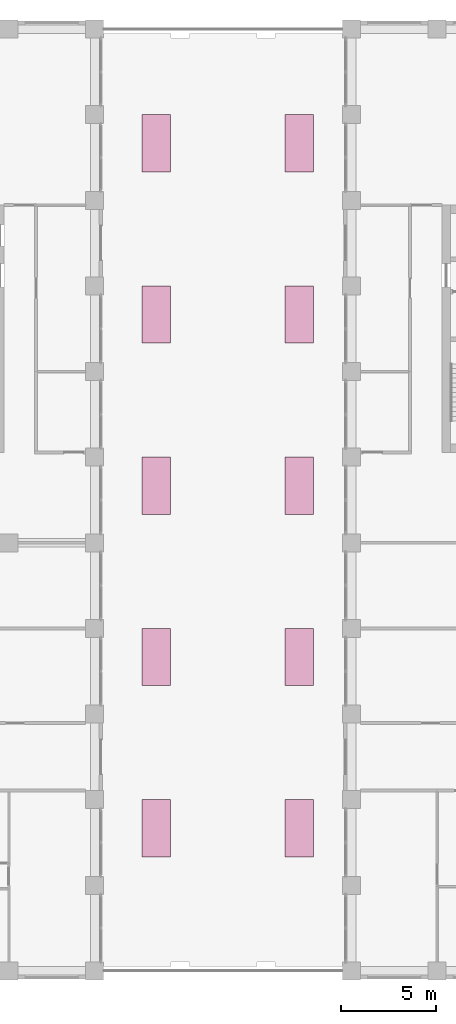
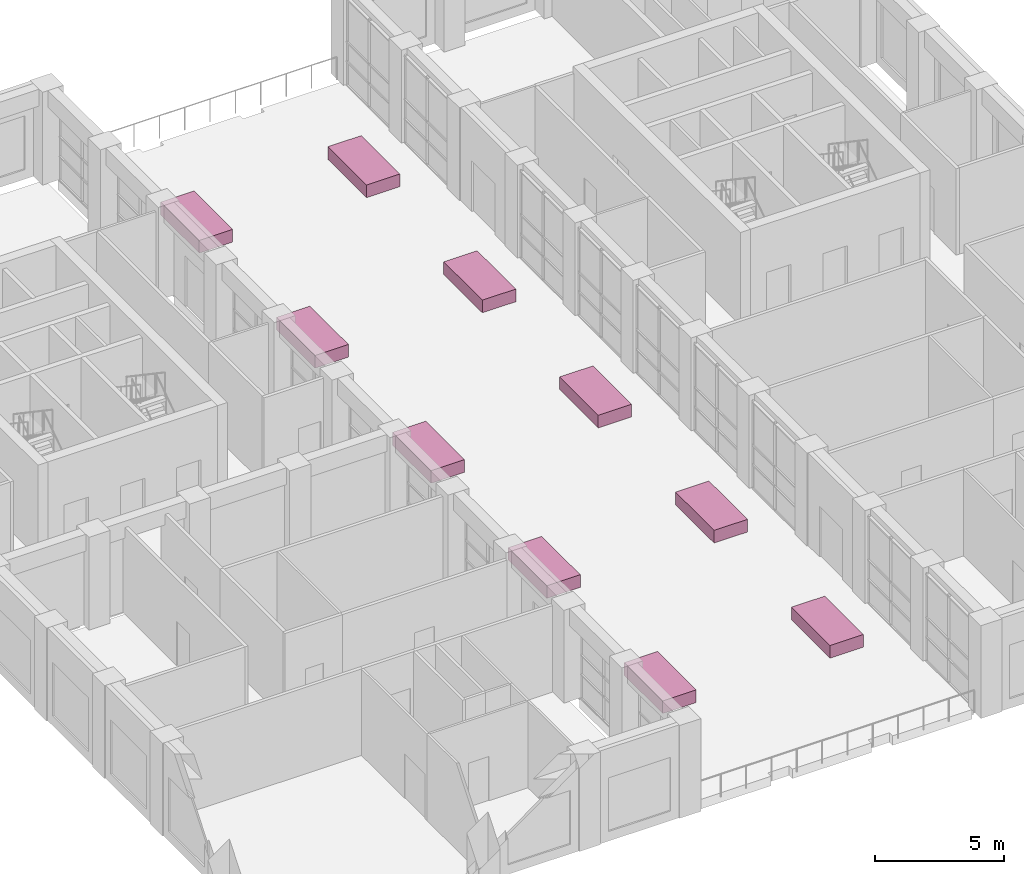
# One storey, part 20 of 20: 10 furniture elements.
"""IFC4 building model written with IfcOpenShell, lengths in metres."""

from ifc_helpers import new_model, si_unit, direction, frame, origin, origin_2d, place, context, subcontext, project, spatial, rectangle, extrude, material, type_object, element, save


model = new_model("IFC4")

# Units and contexts
model_context = context("Model", 3, precision=1e-05, world=origin(), true_north=direction((0.0, 1.0)))
body_context = subcontext(model_context, "Body", "Model", "MODEL_VIEW")
ifc_project = project(units=[si_unit("LENGTHUNIT", "METRE"), si_unit("AREAUNIT", "SQUARE_METRE"), si_unit("VOLUMEUNIT", "CUBIC_METRE"), si_unit("PLANEANGLEUNIT", "RADIAN"), si_unit("MASSUNIT", "GRAM", prefix="KILO")], contexts=[model_context])

# Site, building, storey
site_placement = place(None, origin())
site = spatial("IfcSite", under=ifc_project, at=site_placement, CompositionType="ELEMENT")
building_placement = place(site_placement, origin())
building = spatial("IfcBuilding", under=site, at=building_placement, Name="Girih Gate Residences", CompositionType="ELEMENT")
storey_placement = place(building_placement, frame((0.0, 0.0, 146.199951171875)))
storey = spatial("IfcBuildingStorey", under=building, at=storey_placement, Name="L41", CompositionType="ELEMENT", Elevation=146.199951171875)

# Furniture
ifc_material = material(Name="Precast concrete C40/50", Category="concrete")
furniture_type = type_object("IfcFurnitureType", Name="Terrace planter 1500x3000", AssemblyPlace="NOTDEFINED", PredefinedType="USERDEFINED", material=ifc_material)
for number, where, z_axis, x_axis, name in (
    (1, (21.25, 7.5, 0.0), (0.0, 0.0, 1.0), (1.0, 0.0, 0.0), "Planter Sky garden 1"),
    (2, (28.75, 7.5, 0.0), (0.0, 0.0, 1.0), (1.0, 0.0, 0.0), "Planter Sky garden 2"),
    (3, (21.25, 16.5, 0.0), (0.0, 0.0, 1.0), (1.0, 0.0, 0.0), "Planter Sky garden 3"),
    (4, (28.75, 16.5, 0.0), (0.0, 0.0, 1.0), (1.0, 0.0, 0.0), "Planter Sky garden 4"),
    (5, (21.25, 25.5, 0.0), (0.0, 0.0, 1.0), (1.0, 0.0, 0.0), "Planter Sky garden 5"),
    (6, (28.75, 25.5, 0.0), (0.0, 0.0, 1.0), (1.0, 0.0, 0.0), "Planter Sky garden 6"),
    (7, (21.25, 34.5, 0.0), (0.0, 0.0, 1.0), (1.0, 0.0, 0.0), "Planter Sky garden 7"),
    (8, (28.75, 34.5, 0.0), (0.0, 0.0, 1.0), (1.0, 0.0, 0.0), "Planter Sky garden 8"),
    (9, (21.25, 43.5, 0.0), (0.0, 0.0, 1.0), (1.0, 0.0, 0.0), "Planter Sky garden 9"),
    (10, (28.75, 43.5, 0.0), (0.0, 0.0, 1.0), (1.0, 0.0, 0.0), "Planter Sky garden 10"),
):
    element("IfcFurniture", number, at=place(storey_placement, frame(where, z_axis=z_axis, x_axis=x_axis)), inside=storey, type_object=furniture_type, Name=name, ObjectType="PLANTER", PredefinedType="USERDEFINED", context=body_context, shape_type="SweptSolid", body=[
        extrude(rectangle(XDim=1.5, YDim=3.0, at=origin_2d()), origin(), (0.0, 0.0, 1.0), 0.60009765625),
    ])

save(model, "model.ifc")
